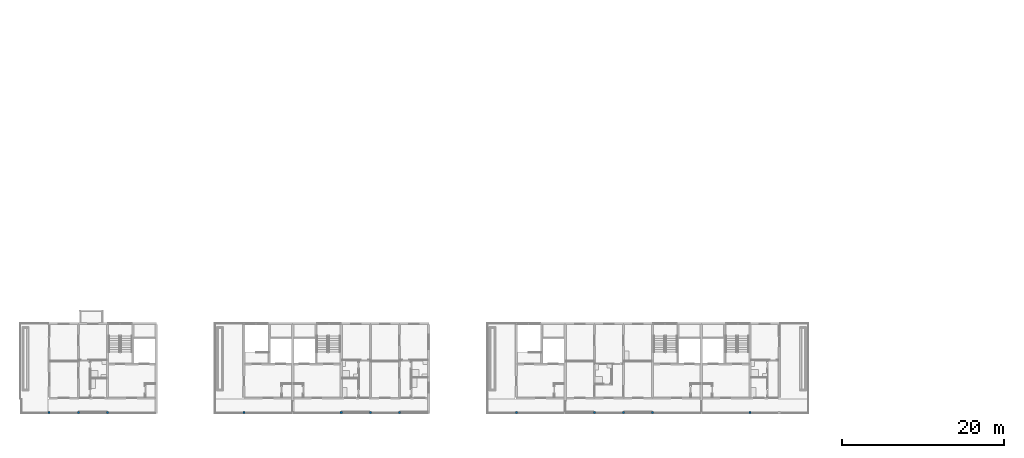
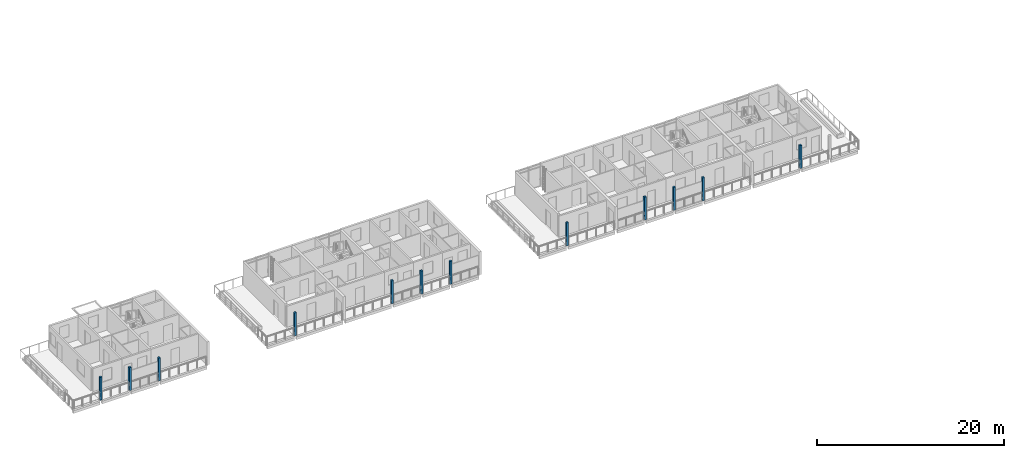
# One storey, part 1 of 55: 12 columns.
"""IFC4 building model written with IfcOpenShell, lengths in metres."""

from ifc_helpers import new_model, si_unit, direction, frame, origin, origin_2d, place, context, subcontext, project, spatial, rectangle, extrude, material, material_profile, profile_set, type_object, element, save


model = new_model("IFC4")

# Units and contexts
model_context = context("Model", 3, precision=1e-05, world=origin(), true_north=direction((0.0, 1.0)))
body_context = subcontext(model_context, "Body", "Model", "MODEL_VIEW")
ifc_project = project(units=[si_unit("LENGTHUNIT", "METRE"), si_unit("AREAUNIT", "SQUARE_METRE"), si_unit("VOLUMEUNIT", "CUBIC_METRE"), si_unit("PLANEANGLEUNIT", "RADIAN"), si_unit("MASSUNIT", "GRAM", prefix="KILO")], contexts=[model_context])

# Site, building, storey
site_placement = place(None, origin())
site = spatial("IfcSite", under=ifc_project, at=site_placement, CompositionType="ELEMENT")
building_placement = place(site_placement, origin())
building = spatial("IfcBuilding", under=site, at=building_placement, Name="Ridgestep Commons", CompositionType="ELEMENT")
storey_placement = place(building_placement, frame((0.0, 0.0, 36.0)))
storey = spatial("IfcBuildingStorey", under=building, at=storey_placement, Name="L12", CompositionType="ELEMENT", Elevation=36.0)

# Columns
ifc_material = material(Name="Precast concrete C40/50", Category="concrete")
ifc_material_profile = material_profile(ifc_material, rectangle(XDim=0.25, YDim=0.25, at=origin_2d()), Name="PC 250x250")
ifc_profile_set = profile_set([ifc_material_profile], Name="Precast concrete C40/50")
column_type = type_object("IfcColumnType", Name="Loggia column 250 x 250", PredefinedType="COLUMN", material=ifc_profile_set)
for number, where, z_axis, x_axis, name in (
    (1, (15.60009765625, 11.875, 0.0), (0.0, 0.0, 1.0), (1.0, 0.0, 0.0), "Loggia column A L12"),
    (2, (19.199951171875, 11.875, 0.0), (0.0, 0.0, 1.0), (1.0, 0.0, 0.0), "Loggia column A L12"),
    (3, (22.800048828125, 11.875, 0.0), (0.0, 0.0, 1.0), (1.0, 0.0, 0.0), "Loggia column A L12"),
    (4, (39.60009765625, 11.875, 0.0), (0.0, 0.0, 1.0), (1.0, 0.0, 0.0), "Loggia column A L12"),
    (5, (51.60009765625, 11.875, 0.0), (0.0, 0.0, 1.0), (1.0, 0.0, 0.0), "Loggia column A L12"),
    (6, (55.199951171875, 11.875, 0.0), (0.0, 0.0, 1.0), (1.0, 0.0, 0.0), "Loggia column A L12"),
    (7, (58.800048828125, 11.875, 0.0), (0.0, 0.0, 1.0), (1.0, 0.0, 0.0), "Loggia column A L12"),
    (8, (73.199951171875, 11.875, 0.0), (0.0, 0.0, 1.0), (1.0, 0.0, 0.0), "Loggia column A L12"),
    (9, (82.800048828125, 11.875, 0.0), (0.0, 0.0, 1.0), (1.0, 0.0, 0.0), "Loggia column A L12"),
    (10, (86.39990234375, 11.875, 0.0), (0.0, 0.0, 1.0), (1.0, 0.0, 0.0), "Loggia column A L12"),
    (11, (90.0, 11.875, 0.0), (0.0, 0.0, 1.0), (1.0, 0.0, 0.0), "Loggia column A L12"),
    (12, (102.0, 11.875, 0.0), (0.0, 0.0, 1.0), (1.0, 0.0, 0.0), "Loggia column A L12"),
):
    element("IfcColumn", number, at=place(storey_placement, frame(where, z_axis=z_axis, x_axis=x_axis)), inside=storey, type_object=column_type, Name=name, PredefinedType="COLUMN", context=body_context, shape_type="SweptSolid", body=[
        extrude(rectangle(XDim=0.25, YDim=0.25, at=origin_2d()), origin(), (0.0, 0.0, 1.0), 3.0),
    ])

save(model, "model.ifc")
